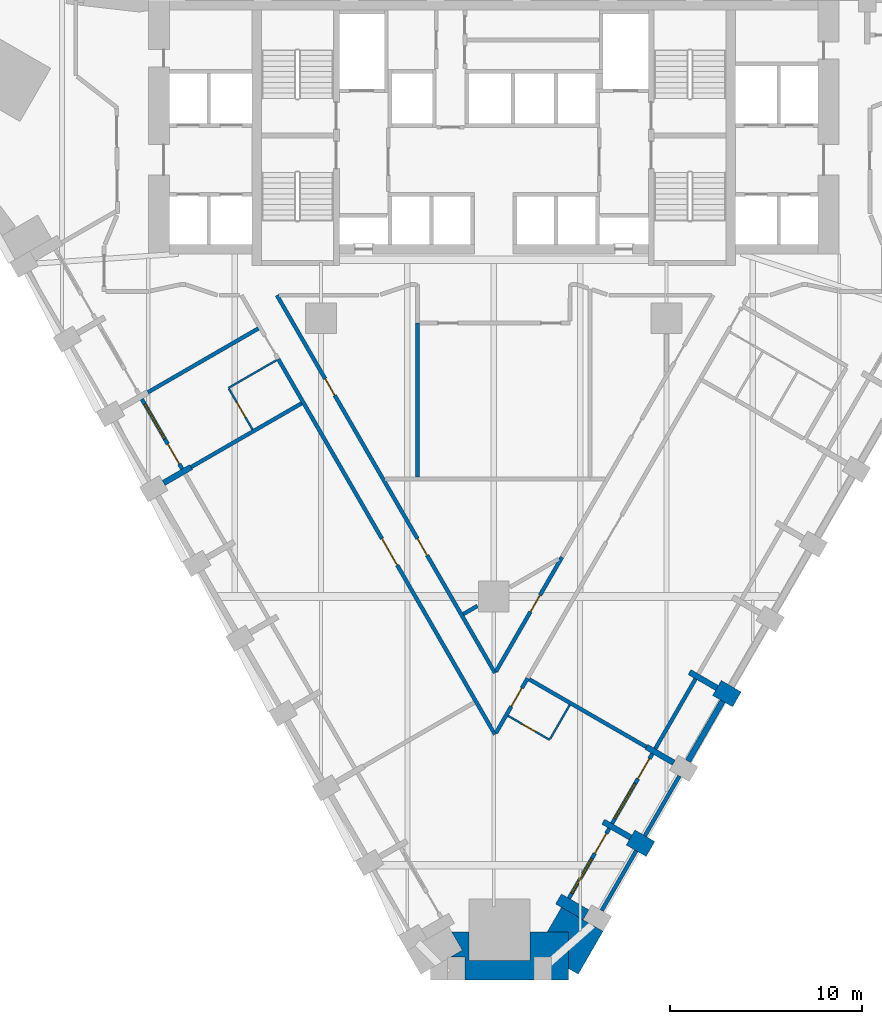
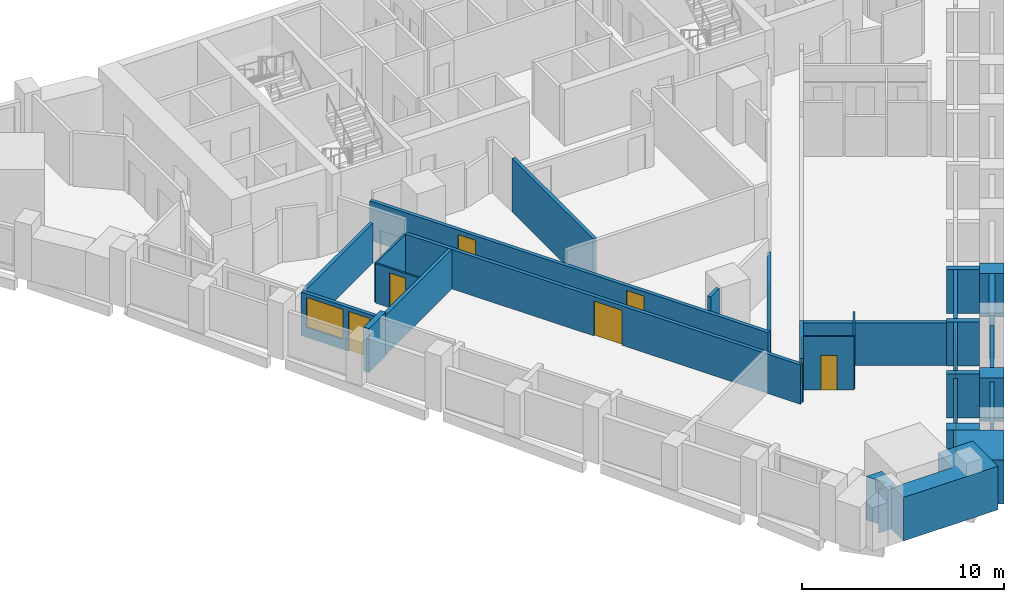
# One storey, part 3 of 10: 29 walls, 10 doors, 3 windows, 13 openings.
"""IFC4 building model written with IfcOpenShell, lengths in metres."""

from ifc_helpers import new_model, si_unit, direction, frame, frame_2d, origin, place, context, subcontext, project, spatial, polyline, rectangle, outline, extrude, material, layer, layer_set, type_object, element, fill, save


model = new_model("IFC4")

# Units and contexts
model_context = context("Model", 3, precision=1e-05, world=origin(), true_north=direction((0.0, 1.0)))
body_context = subcontext(model_context, "Body", "Model", "MODEL_VIEW")
ifc_project = project(units=[si_unit("LENGTHUNIT", "METRE"), si_unit("AREAUNIT", "SQUARE_METRE"), si_unit("VOLUMEUNIT", "CUBIC_METRE"), si_unit("PLANEANGLEUNIT", "RADIAN"), si_unit("MASSUNIT", "GRAM", prefix="KILO")], contexts=[model_context])

# Site, building, storey
site_placement = place(None, origin())
site = spatial("IfcSite", under=ifc_project, at=site_placement, CompositionType="ELEMENT")
building_placement = place(site_placement, origin())
building = spatial("IfcBuilding", under=site, at=building_placement, Name="Calabash Gate Tower", CompositionType="ELEMENT")
storey_placement = place(building_placement, frame((0.0, 0.0, 56.199951171875)))
storey = spatial("IfcBuildingStorey", under=building, at=storey_placement, Name="L09", CompositionType="ELEMENT", Elevation=56.199951171875)

# Walls
ifc_material_1 = material(Name="Terracotta brick masonry, exposed face", Category="masonry")
ifc_layer_1 = layer(ifc_material_1, 2.5)
ifc_layer_set_1 = layer_set([ifc_layer_1], Name="Brick corner mass wall 2500")
wall_type_1 = type_object("IfcWallType", Name="Brick corner mass wall 2500", PredefinedType="SOLIDWALL", material=ifc_layer_set_1)
wall_1_placement = place(storey_placement, origin())
element("IfcWall", 1, at=wall_1_placement, inside=storey, type_object=wall_type_1, Name="Brick corner pier S02 2bb", PredefinedType="SOLIDWALL", context=body_context, shape_type="SweptSolid", body=[
    extrude(outline(polyline([(-1.501953125, -30.780029296875), (-1.501953125, -31.97998046875), (3.8828125, -31.97998046875), (3.8828125, -29.47998046875), (1.89794921875, -29.47998046875), (1.89794921875, -30.9541015625), (-1.302001953125, -30.9541015625), (-1.302001953125, -29.47998046875), (-2.189208984375, -29.47998046875), (-1.640625, -30.43017578125), (-2.246826171875, -30.780029296875), (-1.501953125, -30.780029296875)])), origin(), (0.0, 0.0, 1.0), 2.630126953125),
])
wall_2_placement = place(storey_placement, origin())
element("IfcWall", 2, at=wall_2_placement, inside=storey, type_object=wall_type_1, Name="Brick corner pier S02 2c", PredefinedType="SOLIDWALL", context=body_context, shape_type="SweptSolid", body=[
    extrude(outline(polyline([(5.69384765625, -29.443115234375), (3.52880859375, -28.193115234375), (2.78564453125, -29.47998046875), (3.8828125, -29.47998046875), (3.8828125, -31.380126953125), (4.40234375, -31.68017578125), (5.69384765625, -29.443115234375)])), origin(), (0.0, 0.0, 1.0), 2.630126953125),
])
ifc_material_2 = material(Name="Terracotta brick masonry, exposed face", Category="masonry")
ifc_layer_2 = layer(ifc_material_2, 1.199951171875)
ifc_layer_set_2 = layer_set([ifc_layer_2], Name="Brick end wall 1200")
wall_type_2 = type_object("IfcWallType", Name="Brick end wall 1200", PredefinedType="SOLIDWALL", material=ifc_layer_set_2)
wall_3_placement = place(storey_placement, frame((8.168701171875, -25.156494140625, 0.0), z_axis=(0.0, 0.0, 1.0), x_axis=(-0.865955154139, 0.50012165622, 0.0)))
element("IfcWall", 3, at=wall_3_placement, inside=storey, type_object=wall_type_2, Name="Brick pier S02 SE2.1", PredefinedType="SOLIDWALL", context=body_context, shape_type="SweptSolid", body=[
    extrude(rectangle(XDim=1.199951171875, YDim=0.89990234375, at=frame_2d((0.60009765625, 0.0))), origin(), (0.0, 0.0, 1.0), 2.630126953125),
])
wall_4_placement = place(storey_placement, frame((11.629638671875, -16.76220703125, 0.0), z_axis=(0.0, 0.0, 1.0), x_axis=(0.866043267704, -0.499969057507, 0.0)))
element("IfcWall", 4, at=wall_4_placement, inside=storey, type_object=wall_type_2, Name="Brick pier S02 SE2.3", PredefinedType="SOLIDWALL", context=body_context, shape_type="SweptSolid", body=[
    extrude(rectangle(XDim=1.19970703125, YDim=0.89990234375, at=frame_2d((0.599853515625, 0.0))), origin(), (0.0, 0.0, 1.0), 2.630126953125),
])
ifc_material_3 = material(Name="Terracotta brick masonry, exposed face", Category="masonry")
ifc_layer_3 = layer(ifc_material_3, 0.300048828125)
ifc_layer_set_3 = layer_set([ifc_layer_3], Name="Brick infill panel wall 300")
wall_type_3 = type_object("IfcWallType", Name="Brick infill panel wall 300", PredefinedType="SOLIDWALL", material=ifc_layer_set_3)
wall_5_placement = place(storey_placement, frame((10.124267578125, -20.569580078125, 0.0), z_axis=(0.0, 0.0, 1.0), x_axis=(0.499961193289, 0.866047807691, 0.0)))
element("IfcWall", 5, at=wall_5_placement, inside=storey, type_object=wall_type_3, Name="Brick panel S02 SE2.3", PredefinedType="SOLIDWALL", context=body_context, shape_type="SweptSolid", body=[
    extrude(rectangle(XDim=3.599853515625, YDim=0.300048828125, at=frame_2d((1.7998046875, 0.0))), origin(), (0.0, 0.0, 1.0), 2.630126953125),
])
ifc_material_4 = material(Name="Terracotta brick masonry, exposed face", Category="masonry")
ifc_layer_4 = layer(ifc_material_4, 0.300048828125)
ifc_layer_set_4 = layer_set([ifc_layer_4], Name="Brick loggia cheek wall 300")
wall_type_4 = type_object("IfcWallType", Name="Brick loggia cheek wall 300", PredefinedType="SOLIDWALL", material=ifc_layer_set_4)
wall_6_placement = place(storey_placement, frame((-17.2001953125, -6.080322265625, 0.0), z_axis=(0.0, 0.0, 1.0), x_axis=(0.866040211805, 0.499974350878, 0.0)))
element("IfcWall", 6, at=wall_6_placement, inside=storey, type_object=wall_type_4, Name="Loggia cheek S02 SW0.3", PredefinedType="SOLIDWALL", context=body_context, shape_type="SweptSolid", body=[
    extrude(rectangle(XDim=1.64990234375, YDim=0.300048828125, at=frame_2d((0.824951171875, 0.0))), origin(), (0.0, 0.0, 1.0), 2.650146484375),
])
wall_7_placement = place(storey_placement, frame((4.804443359375, -28.58349609375, 0.0), z_axis=(0.0, 0.0, 1.0), x_axis=(-0.865976140824, 0.500085316245, 0.0)))
element("IfcWall", 7, at=wall_7_placement, inside=storey, type_object=wall_type_4, Name="Loggia cheek S02 SE2.0", PredefinedType="SOLIDWALL", context=body_context, shape_type="SweptSolid", body=[
    extrude(rectangle(XDim=1.650146484375, YDim=0.60009765625, at=frame_2d((0.8251953125, 0.0))), origin(), (0.0, 0.0, 1.0), 2.650146484375),
])
wall_8_placement = place(storey_placement, frame((7.129638671875, -24.556396484375, 0.0), z_axis=(0.0, 0.0, 1.0), x_axis=(-0.866040211805, 0.499974350878, 0.0)))
element("IfcWall", 8, at=wall_8_placement, inside=storey, type_object=wall_type_4, Name="Loggia cheek S02 SE2.1", PredefinedType="SOLIDWALL", context=body_context, shape_type="SweptSolid", body=[
    extrude(rectangle(XDim=1.64990234375, YDim=0.300048828125, at=frame_2d((0.824951171875, 0.0))), origin(), (0.0, 0.0, 1.0), 2.650146484375),
])
wall_9_placement = place(storey_placement, frame((9.37939453125, -20.6591796875, 0.0), z_axis=(0.0, 0.0, 1.0), x_axis=(-0.866003217194, 0.500038426333, 0.0)))
element("IfcWall", 9, at=wall_9_placement, inside=storey, type_object=wall_type_4, Name="Loggia cheek S02 SE2.2", PredefinedType="SOLIDWALL", context=body_context, shape_type="SweptSolid", body=[
    extrude(rectangle(XDim=1.649658203125, YDim=0.300048828125, at=frame_2d((0.82470703125, 0.0))), origin(), (0.0, 0.0, 1.0), 2.650146484375),
])
wall_10_placement = place(storey_placement, frame((11.629638671875, -16.76220703125, 0.0), z_axis=(0.0, 0.0, 1.0), x_axis=(-0.866040211805, 0.499974350878, 0.0)))
element("IfcWall", 10, at=wall_10_placement, inside=storey, type_object=wall_type_4, Name="Loggia cheek S02 SE2.3", PredefinedType="SOLIDWALL", context=body_context, shape_type="SweptSolid", body=[
    extrude(rectangle(XDim=1.64990234375, YDim=0.300048828125, at=frame_2d((0.824951171875, 0.0))), origin(), (0.0, 0.0, 1.0), 2.650146484375),
])
ifc_material_5 = material(Name="Gypsum board on steel studs, mineral wool", Category="steel")
ifc_layer_5 = layer(ifc_material_5, 0.10009765625)
ifc_layer_set_5 = layer_set([ifc_layer_5], Name="Partition 100 gypsum board")
wall_type_5 = type_object("IfcWallType", Name="Partition 100 gypsum board", PredefinedType="PARTITIONING", material=ifc_layer_set_5)
wall_11_placement = place(storey_placement, frame((2.935302734375, -19.421875, 0.0), z_axis=(0.0, 0.0, 1.0), x_axis=(0.499354689006, 0.866397653833, 0.0)))
element("IfcWall", 11, at=wall_11_placement, inside=storey, type_object=wall_type_5, Name="Partition", PredefinedType="PARTITIONING", context=body_context, shape_type="SweptSolid", body=[
    extrude(rectangle(XDim=2.050048828125, YDim=0.10009765625, at=frame_2d((1.02490234375, 0.0))), origin(), (0.0, 0.0, 1.0), 3.22998046875),
])

# Wall, opening, door
wall_12_placement = place(storey_placement, frame((0.745361328125, -18.215087890625, 0.0), z_axis=(0.0, 0.0, 1.0), x_axis=(0.866022959057, -0.500004234368, 0.0)))
wall_12 = element("IfcWall", 12, at=wall_12_placement, inside=storey, type_object=wall_type_5, Name="Partition", PredefinedType="PARTITIONING", context=body_context, shape_type="SweptSolid", body=[
    extrude(rectangle(XDim=2.5, YDim=0.10009765625, at=frame_2d((1.25, 0.0))), origin(), (0.0, 0.0, 1.0), 3.22998046875),
])
opening_1_placement = place(wall_12_placement, frame((0.85009765625, 0.0, 0.0)))
opening_1 = element("IfcOpeningElement", 13, at=opening_1_placement, cuts=wall_12, Name="Opening 09-11-011", PredefinedType="OPENING", context=body_context, shape_type="SweptSolid", body=[
    extrude(rectangle(XDim=0.800048828125, YDim=2.10009765625, at=frame_2d((0.39990234375, 1.050048828125))), frame((0.0, 0.06005859375, 0.0), z_axis=(0.0, -1.0, 0.0), x_axis=(1.0, 0.0, 0.0)), (0.0, 0.0, 1.0), 0.1201171875),
])
ifc_material_6 = material(Name="Painted timber door", Category="wood")
door_type_1 = type_object("IfcDoorType", Name="GD5 En-suite door 800x2100", OperationType="NOTDEFINED", PredefinedType="DOOR", material=ifc_material_6)
door_1_placement = place(opening_1_placement, origin())
door_1 = element("IfcDoor", 14, at=door_1_placement, inside=storey, type_object=door_type_1, Name="En-suite door", OperationType="SINGLE_SWING_LEFT", OverallHeight=2.10009765625, OverallWidth=0.800048828125, PredefinedType="DOOR", context=body_context, shape_type="SweptSolid", body=[
    extrude(rectangle(XDim=0.800048828125, YDim=2.10009765625, at=frame_2d((0.39990234375, 1.050048828125))), frame((0.0, 0.02490234375, 0.0), z_axis=(0.0, -1.0, 0.0), x_axis=(1.0, 0.0, 0.0)), (0.0, 0.0, 1.0), 0.050048828125),
])
fill(opening_1, door_1)

wall_13_placement = place(storey_placement, frame((-13.798583984375, -1.171875, 0.0), z_axis=(0.0, 0.0, 1.0), x_axis=(0.500018594424, -0.866014668023, 0.0)))
wall_13 = element("IfcWall", 15, at=wall_13_placement, inside=storey, type_object=wall_type_5, Name="Partition", PredefinedType="PARTITIONING", context=body_context, shape_type="SweptSolid", body=[
    extrude(rectangle(XDim=2.4501953125, YDim=0.10009765625, at=frame_2d((1.22509765625, 0.0))), origin(), (0.0, 0.0, 1.0), 2.384033203125),
])
opening_2_placement = place(wall_13_placement, frame((0.800048828125, 0.0, 0.0)))
opening_2 = element("IfcOpeningElement", 16, at=opening_2_placement, cuts=wall_13, Name="Opening 09-11-002", PredefinedType="OPENING", context=body_context, shape_type="SweptSolid", body=[
    extrude(rectangle(XDim=0.89990234375, YDim=2.10009765625, at=frame_2d((0.449951171875, 1.050048828125))), frame((0.0, 0.06005859375, 0.0), z_axis=(0.0, -1.0, 0.0), x_axis=(1.0, 0.0, 0.0)), (0.0, 0.0, 1.0), 0.1201171875),
])
ifc_material_7 = material(Name="Painted timber door", Category="wood")
door_type_2 = type_object("IfcDoorType", Name="GD6 Accessible en-suite door 900x2100", OperationType="NOTDEFINED", PredefinedType="DOOR", material=ifc_material_7)
door_2_placement = place(opening_2_placement, origin())
door_2 = element("IfcDoor", 17, at=door_2_placement, inside=storey, type_object=door_type_2, Name="Accessible en-suite door", OperationType="SINGLE_SWING_LEFT", OverallHeight=2.10009765625, OverallWidth=0.89990234375, PredefinedType="DOOR", context=body_context, shape_type="SweptSolid", body=[
    extrude(rectangle(XDim=0.89990234375, YDim=2.10009765625, at=frame_2d((0.449951171875, 1.050048828125))), frame((0.0, 0.02490234375, 0.0), z_axis=(0.0, -1.0, 0.0), x_axis=(1.0, 0.0, 0.0)), (0.0, 0.0, 1.0), 0.050048828125),
])
fill(opening_2, door_2)

# Wall
wall_14_placement = place(storey_placement, frame((-13.823486328125, -1.128662109375, 0.0), z_axis=(0.0, 0.0, 1.0), x_axis=(0.866314505181, 0.49949892704, 0.0)))
element("IfcWall", 18, at=wall_14_placement, inside=storey, type_object=wall_type_5, Name="Partition", PredefinedType="PARTITIONING", context=body_context, shape_type="SweptSolid", body=[
    extrude(rectangle(XDim=2.89990234375, YDim=0.10009765625, at=frame_2d((1.449951171875, 0.0))), origin(), (0.0, 0.0, 1.0), 2.384033203125),
])

# Wall, opening, door
ifc_material_8 = material(Name="Gypsum board on steel studs, mineral wool", Category="steel")
ifc_layer_6 = layer(ifc_material_8, 0.199951171875)
ifc_layer_set_6 = layer_set([ifc_layer_6], Name="Partition 200 gypsum board EI 60")
wall_type_6 = type_object("IfcWallType", Name="Partition 200 gypsum board EI 60", PredefinedType="PARTITIONING", material=ifc_layer_set_6)
wall_15_placement = place(storey_placement, frame((-11.227294921875, 0.370361328125, 0.0), z_axis=(0.0, 0.0, 1.0), x_axis=(0.500006900114, -0.866021419965, 0.0)))
wall_15 = element("IfcWall", 19, at=wall_15_placement, inside=storey, type_object=wall_type_6, Name="Partition", PredefinedType="PARTITIONING", context=body_context, shape_type="SweptSolid", body=[
    extrude(rectangle(XDim=22.586181640625, YDim=0.199951171875, at=frame_2d((11.29296875, 0.0))), origin(), (0.0, 0.0, 1.0), 2.3740234375),
])
opening_3_placement = place(wall_15_placement, frame((10.800048828125, 0.0, 0.0)))
opening_3 = element("IfcOpeningElement", 20, at=opening_3_placement, cuts=wall_15, Name="Opening 09-11-003", PredefinedType="OPENING", context=body_context, shape_type="SweptSolid", body=[
    extrude(rectangle(XDim=1.60009765625, YDim=2.10009765625, at=frame_2d((0.800048828125, 1.050048828125))), frame((0.0, 0.10986328125, 0.0), z_axis=(0.0, -1.0, 0.0), x_axis=(1.0, 0.0, 0.0)), (0.0, 0.0, 1.0), 0.219970703125),
])
ifc_material_9 = material(Name="Steel fire door set with fire-resisting glazing", Category="steel")
door_type_3 = type_object("IfcDoorType", Name="LD1 Lounge double door 1600x2100", OperationType="NOTDEFINED", PredefinedType="DOOR", material=ifc_material_9)
door_3_placement = place(opening_3_placement, origin())
door_3 = element("IfcDoor", 21, at=door_3_placement, inside=storey, type_object=door_type_3, Name="Lounge double door", OperationType="DOUBLE_DOOR_SINGLE_SWING", OverallHeight=2.10009765625, OverallWidth=1.60009765625, PredefinedType="DOOR", context=body_context, shape_type="SweptSolid", body=[
    extrude(rectangle(XDim=1.60009765625, YDim=2.10009765625, at=frame_2d((0.800048828125, 1.050048828125))), frame((0.0, 0.02490234375, 0.0), z_axis=(0.0, -1.0, 0.0), x_axis=(1.0, 0.0, 0.0)), (0.0, 0.0, 1.0), 0.050048828125),
])
fill(opening_3, door_3)

wall_16_placement = place(storey_placement, frame((0.11767578125, -19.102294921875, 0.0), z_axis=(0.0, 0.0, 1.0), x_axis=(0.500402764758, 0.865792742533, 0.0)))
wall_16 = element("IfcWall", 22, at=wall_16_placement, inside=storey, type_object=wall_type_6, Name="Partition", PredefinedType="PARTITIONING", context=body_context, shape_type="SweptSolid", body=[
    extrude(rectangle(XDim=3.281982421875, YDim=0.199951171875, at=frame_2d((1.64111328125, 0.0))), origin(), (0.0, 0.0, 1.0), 2.6279296875),
])
opening_4_placement = place(wall_16_placement, frame((1.59130859375, 0.0, 0.0)))
opening_4 = element("IfcOpeningElement", 23, at=opening_4_placement, cuts=wall_16, Name="Opening 09-11-020", PredefinedType="OPENING", context=body_context, shape_type="SweptSolid", body=[
    extrude(rectangle(XDim=1.10009765625, YDim=2.10009765625, at=frame_2d((0.550048828125, 1.050048828125))), frame((0.0, 0.10986328125, 0.0), z_axis=(0.0, -1.0, 0.0), x_axis=(1.0, 0.0, 0.0)), (0.0, 0.0, 1.0), 0.219970703125),
])
ifc_material_10 = material(Name="Steel fire door set with fire-resisting glazing", Category="steel")
door_type_4 = type_object("IfcDoorType", Name="GD3 Suite entrance door 1100x2100", OperationType="NOTDEFINED", PredefinedType="DOOR", material=ifc_material_10)
door_4_placement = place(opening_4_placement, origin())
door_4 = element("IfcDoor", 24, at=door_4_placement, inside=storey, type_object=door_type_4, Name="Suite entrance door", OperationType="SINGLE_SWING_LEFT", OverallHeight=2.10009765625, OverallWidth=1.10009765625, PredefinedType="DOOR", context=body_context, shape_type="SweptSolid", body=[
    extrude(rectangle(XDim=1.10009765625, YDim=2.10009765625, at=frame_2d((0.550048828125, 1.050048828125))), frame((0.0, 0.02490234375, 0.0), z_axis=(0.0, -1.0, 0.0), x_axis=(1.0, 0.0, 0.0)), (0.0, 0.0, 1.0), 0.050048828125),
])
fill(opening_4, door_4)

# Wall
wall_17_placement = place(storey_placement, frame((1.844482421875, -16.311279296875, 0.0), z_axis=(0.0, 0.0, 1.0), x_axis=(0.866037373075, -0.499979268008, 0.0)))
element("IfcWall", 25, at=wall_17_placement, inside=storey, type_object=wall_type_6, Name="Partition", PredefinedType="PARTITIONING", context=body_context, shape_type="SweptSolid", body=[
    extrude(rectangle(XDim=7.049560546875, YDim=0.199951171875, at=frame_2d((3.52490234375, 0.0))), origin(), (0.0, 0.0, 1.0), 2.552001953125),
])

# Wall, opening, door
wall_18_placement = place(storey_placement, frame((0.117431640625, -15.9013671875, 0.0), z_axis=(0.0, 0.0, 1.0), x_axis=(0.49997760006, 0.866038336009, 0.0)))
wall_18 = element("IfcWall", 26, at=wall_18_placement, inside=storey, type_object=wall_type_6, Name="Partition", PredefinedType="PARTITIONING", context=body_context, shape_type="SweptSolid", body=[
    extrude(rectangle(XDim=6.874755859375, YDim=0.199951171875, at=frame_2d((3.4375, 0.0))), origin(), (0.0, 0.0, 1.0), 2.302490234375),
])
opening_5_placement = place(wall_18_placement, frame((3.588134765625, 0.0, 0.0)))
opening_5 = element("IfcOpeningElement", 27, at=opening_5_placement, cuts=wall_18, Name="Opening 09-11-009", PredefinedType="OPENING", context=body_context, shape_type="SweptSolid", body=[
    extrude(rectangle(XDim=1.0, YDim=2.10009765625, at=frame_2d((0.5, 1.050048828125))), frame((0.0, 0.10986328125, 0.0), z_axis=(0.0, -1.0, 0.0), x_axis=(1.0, 0.0, 0.0)), (0.0, 0.0, 1.0), 0.219970703125),
])
ifc_material_11 = material(Name="Steel fire door set with fire-resisting glazing", Category="steel")
door_type_5 = type_object("IfcDoorType", Name="LD2 Meeting room door 1000x2100", OperationType="NOTDEFINED", PredefinedType="DOOR", material=ifc_material_11)
door_5_placement = place(opening_5_placement, origin())
door_5 = element("IfcDoor", 28, at=door_5_placement, inside=storey, type_object=door_type_5, Name="Meeting room door", OperationType="SINGLE_SWING_RIGHT", OverallHeight=2.10009765625, OverallWidth=1.0, PredefinedType="DOOR", context=body_context, shape_type="SweptSolid", body=[
    extrude(rectangle(XDim=1.0, YDim=2.10009765625, at=frame_2d((0.5, 1.050048828125))), frame((0.0, 0.02490234375, 0.0), z_axis=(0.0, -1.0, 0.0), x_axis=(1.0, 0.0, 0.0)), (0.0, 0.0, 1.0), 0.050048828125),
])
fill(opening_5, door_5)

# Walls
wall_19_placement = place(storey_placement, frame((-1.590576171875, -12.916259765625, 0.0), z_axis=(0.0, 0.0, 1.0), x_axis=(0.866903215232, 0.498476494351, 0.0)))
element("IfcWall", 29, at=wall_19_placement, inside=storey, type_object=wall_type_6, Name="Partition", PredefinedType="PARTITIONING", context=body_context, shape_type="SweptSolid", body=[
    extrude(rectangle(XDim=0.854248046875, YDim=0.199951171875, at=frame_2d((0.42724609375, 0.0))), origin(), (0.0, 0.0, 1.0), 3.22998046875),
])
wall_20_placement = place(storey_placement, frame((-15.77099609375, -5.25537109375, 0.0), z_axis=(0.0, 0.0, 1.0), x_axis=(0.866166026107, 0.499756355856, 0.0)))
element("IfcWall", 30, at=wall_20_placement, inside=storey, type_object=wall_type_6, Name="Partition", PredefinedType="PARTITIONING", context=body_context, shape_type="SweptSolid", body=[
    extrude(rectangle(XDim=6.649658203125, YDim=0.199951171875, at=frame_2d((3.32470703125, 0.0))), origin(), (0.0, 0.0, 1.0), 2.384033203125),
])
wall_21_placement = place(storey_placement, frame((-18.021484375, -1.357666015625, 0.0), z_axis=(0.0, 0.0, 1.0), x_axis=(0.865919508558, 0.500183371074, 0.0)))
element("IfcWall", 31, at=wall_21_placement, inside=storey, type_object=wall_type_6, Name="Partition", PredefinedType="PARTITIONING", context=body_context, shape_type="SweptSolid", body=[
    extrude(rectangle(XDim=6.64794921875, YDim=0.199951171875, at=frame_2d((3.323974609375, 0.0))), origin(), (0.0, 0.0, 1.0), 2.384033203125),
])
wall_22_placement = place(storey_placement, frame((-3.979248046875, 2.25244140625, 0.0), z_axis=(0.0, 0.0, 1.0), x_axis=(0.000213083311, -0.999999977298, 0.0)))
element("IfcWall", 32, at=wall_22_placement, inside=storey, type_object=wall_type_6, Name="Partition", PredefinedType="PARTITIONING", context=body_context, shape_type="SweptSolid", body=[
    extrude(rectangle(XDim=8.020263671875, YDim=0.199951171875, at=frame_2d((4.01025390625, 0.0))), origin(), (0.0, 0.0, 1.0), 3.22998046875),
])

# Wall, openings, doors
wall_23_placement = place(storey_placement, frame((-11.29931640625, 3.69970703125, 0.0), z_axis=(0.0, 0.0, 1.0), x_axis=(0.500141073811, -0.86594393946, 0.0)))
wall_23 = element("IfcWall", 33, at=wall_23_placement, inside=storey, type_object=wall_type_6, Name="Partition", PredefinedType="PARTITIONING", context=body_context, shape_type="SweptSolid", body=[
    extrude(rectangle(XDim=22.7333984375, YDim=0.199951171875, at=frame_2d((11.36669921875, 0.0))), origin(), (0.0, 0.0, 1.0), 2.3740234375),
])
opening_6_placement = place(wall_23_placement, frame((5.02490234375, 0.0, 0.0)))
opening_6 = element("IfcOpeningElement", 34, at=opening_6_placement, cuts=wall_23, Name="Opening 09-11-005", PredefinedType="OPENING", context=body_context, shape_type="SweptSolid", body=[
    extrude(rectangle(XDim=1.0, YDim=2.10009765625, at=frame_2d((0.5, 1.050048828125))), frame((0.0, 0.10986328125, 0.0), z_axis=(0.0, -1.0, 0.0), x_axis=(1.0, 0.0, 0.0)), (0.0, 0.0, 1.0), 0.219970703125),
])
opening_7_placement = place(wall_23_placement, frame((14.64697265625, 0.0, 0.0)))
opening_7 = element("IfcOpeningElement", 35, at=opening_7_placement, cuts=wall_23, Name="Opening 09-11-010", PredefinedType="OPENING", context=body_context, shape_type="SweptSolid", body=[
    extrude(rectangle(XDim=1.0, YDim=2.10009765625, at=frame_2d((0.5, 1.050048828125))), frame((0.0, 0.10986328125, 0.0), z_axis=(0.0, -1.0, 0.0), x_axis=(1.0, 0.0, 0.0)), (0.0, 0.0, 1.0), 0.219970703125),
])
door_6_placement = place(opening_6_placement, origin())
door_6 = element("IfcDoor", 36, at=door_6_placement, inside=storey, type_object=door_type_5, Name="Meeting room door", OperationType="SINGLE_SWING_LEFT", OverallHeight=2.10009765625, OverallWidth=1.0, PredefinedType="DOOR", context=body_context, shape_type="SweptSolid", body=[
    extrude(rectangle(XDim=1.0, YDim=2.10009765625, at=frame_2d((0.5, 1.050048828125))), frame((0.0, 0.02490234375, 0.0), z_axis=(0.0, -1.0, 0.0), x_axis=(1.0, 0.0, 0.0)), (0.0, 0.0, 1.0), 0.050048828125),
])
fill(opening_6, door_6)
door_7_placement = place(opening_7_placement, origin())
door_7 = element("IfcDoor", 37, at=door_7_placement, inside=storey, type_object=door_type_5, Name="Meeting room door", OperationType="SINGLE_SWING_RIGHT", OverallHeight=2.10009765625, OverallWidth=1.0, PredefinedType="DOOR", context=body_context, shape_type="SweptSolid", body=[
    extrude(rectangle(XDim=1.0, YDim=2.10009765625, at=frame_2d((0.5, 1.050048828125))), frame((0.0, 0.02490234375, 0.0), z_axis=(0.0, -1.0, 0.0), x_axis=(1.0, 0.0, 0.0)), (0.0, 0.0, 1.0), 0.050048828125),
])
fill(opening_7, door_7)

# Walls
ifc_material_12 = material(Name="Terracotta brick masonry, perforated", Category="masonry")
ifc_layer_7 = layer(ifc_material_12, 0.199951171875)
ifc_layer_set_7 = layer_set([ifc_layer_7], Name="Terracotta jaali screen B")
wall_type_7 = type_object("IfcWallType", Name="Terracotta jaali screen B", PredefinedType="SOLIDWALL", material=ifc_layer_set_7)
wall_24_placement = place(storey_placement, frame((5.624267578125, -28.36376953125, 0.0), z_axis=(0.0, 0.0, 1.0), x_axis=(0.499961193289, 0.866047807691, 0.0)))
element("IfcWall", 38, at=wall_24_placement, inside=storey, type_object=wall_type_7, Name="SCREEN B S02 SE2.1", PredefinedType="SOLIDWALL", context=body_context, shape_type="SweptSolid", body=[
    extrude(rectangle(XDim=3.599853515625, YDim=0.199951171875, at=frame_2d((1.7998046875, 0.0))), origin(), (0.0, 0.0, 1.0), 2.3740234375),
])
wall_25_placement = place(storey_placement, frame((7.874267578125, -24.466552734375, 0.0), z_axis=(0.0, 0.0, 1.0), x_axis=(0.499961193289, 0.866047807691, 0.0)))
element("IfcWall", 39, at=wall_25_placement, inside=storey, type_object=wall_type_7, Name="SCREEN B S02 SE2.2", PredefinedType="SOLIDWALL", context=body_context, shape_type="SweptSolid", body=[
    extrude(rectangle(XDim=3.599853515625, YDim=0.199951171875, at=frame_2d((1.7998046875, 0.0))), origin(), (0.0, 0.0, 1.0), 2.630126953125),
])

# Wall, openings, door, window
ifc_material_13 = material(Name="Aluminium framed window wall with insulated spandrel", Category="aluminium")
ifc_layer_8 = layer(ifc_material_13, 0.199951171875)
ifc_layer_set_8 = layer_set([ifc_layer_8], Name="Window wall 200")
wall_type_8 = type_object("IfcWallType", Name="Window wall 200", PredefinedType="ELEMENTEDWALL", material=ifc_layer_set_8)
wall_26_placement = place(storey_placement, frame((-18.3359375, -1.713134765625, 0.0), z_axis=(0.0, 0.0, 1.0), x_axis=(0.500027713859, -0.866009402589, 0.0)))
wall_26 = element("IfcWall", 40, at=wall_26_placement, inside=storey, type_object=wall_type_8, Name="Window wall S02 SW0.3", PredefinedType="ELEMENTEDWALL", context=body_context, shape_type="SweptSolid", body=[
    extrude(rectangle(XDim=4.199951171875, YDim=0.199951171875, at=frame_2d((2.10009765625, 0.0))), origin(), (0.0, 0.0, 1.0), 2.6279296875),
])
opening_8_placement = place(wall_26_placement, frame((0.300048828125, 0.0, 0.60009765625)))
opening_8 = element("IfcOpeningElement", 41, at=opening_8_placement, cuts=wall_26, Name="Opening HW1", PredefinedType="OPENING", context=body_context, shape_type="SweptSolid", body=[
    extrude(rectangle(XDim=2.10009765625, YDim=1.800048828125, at=frame_2d((1.050048828125, 0.89990234375))), frame((0.0, 0.10986328125, 0.0), z_axis=(0.0, -1.0, 0.0), x_axis=(1.0, 0.0, 0.0)), (0.0, 0.0, 1.0), 0.219970703125),
])
opening_9_placement = place(wall_26_placement, frame((2.699951171875, 0.0, 0.0)))
opening_9 = element("IfcOpeningElement", 42, at=opening_9_placement, cuts=wall_26, Name="Opening H2-025", PredefinedType="OPENING", context=body_context, shape_type="SweptSolid", body=[
    extrude(rectangle(XDim=1.199951171875, YDim=2.39990234375, at=frame_2d((0.60009765625, 1.199951171875))), frame((0.0, 0.10986328125, 0.0), z_axis=(0.0, -1.0, 0.0), x_axis=(1.0, 0.0, 0.0)), (0.0, 0.0, 1.0), 0.219970703125),
])
ifc_material_14 = material(Name="Anodised aluminium frame, bronze finish, impact-rated laminated clear glazing", Category="aluminium")
door_type_6 = type_object("IfcDoorType", Name="Loggia door DH1 1200x2400", OperationType="SLIDING_TO_LEFT", PredefinedType="DOOR", material=ifc_material_14)
door_8_placement = place(opening_9_placement, origin())
door_8 = element("IfcDoor", 43, at=door_8_placement, inside=storey, type_object=door_type_6, Name="Loggia door S02 SW0.3", OperationType="SINGLE_SWING_LEFT", OverallHeight=2.39990234375, OverallWidth=1.199951171875, PredefinedType="DOOR", context=body_context, shape_type="SweptSolid", body=[
    extrude(rectangle(XDim=1.199951171875, YDim=2.39990234375, at=frame_2d((0.60009765625, 1.199951171875))), frame((0.0, 0.02490234375, 0.0), z_axis=(0.0, -1.0, 0.0), x_axis=(1.0, 0.0, 0.0)), (0.0, 0.0, 1.0), 0.050048828125),
])
fill(opening_9, door_8)
ifc_material_15 = material(Name="Anodised aluminium frame, bronze finish, impact-rated laminated clear glazing", Category="aluminium")
window_type_1 = type_object("IfcWindowType", Name="Window HW1 2100x1800", PartitioningType="DOUBLE_PANEL_VERTICAL", PredefinedType="WINDOW", material=ifc_material_15)
window_1_placement = place(opening_8_placement, origin())
window_1 = element("IfcWindow", 44, at=window_1_placement, inside=storey, type_object=window_type_1, Name="Window HW1 S02 SW0.3", OverallHeight=1.800048828125, OverallWidth=2.10009765625, PartitioningType="SINGLE_PANEL", PredefinedType="WINDOW", context=body_context, shape_type="SweptSolid", body=[
    extrude(rectangle(XDim=2.10009765625, YDim=1.800048828125, at=frame_2d((1.050048828125, 0.89990234375))), frame((0.0, 0.030029296875, 0.0), z_axis=(0.0, -1.0, 0.0), x_axis=(1.0, 0.0, 0.0)), (0.0, 0.0, 1.0), 0.06005859375),
])
fill(opening_8, window_1)

wall_27_placement = place(storey_placement, frame((3.915283203125, -27.7236328125, 0.0), z_axis=(0.0, 0.0, 1.0), x_axis=(0.500002543286, 0.866023935413, 0.0)))
wall_27 = element("IfcWall", 45, at=wall_27_placement, inside=storey, type_object=wall_type_8, Name="Window wall S02 SE2.1", PredefinedType="ELEMENTEDWALL", context=body_context, shape_type="SweptSolid", body=[
    extrude(rectangle(XDim=4.2001953125, YDim=0.199951171875, at=frame_2d((2.10009765625, 0.0))), origin(), (0.0, 0.0, 1.0), 2.3740234375),
])
opening_10_placement = place(wall_27_placement, frame((0.300048828125, 0.0, 0.60009765625)))
opening_10 = element("IfcOpeningElement", 46, at=opening_10_placement, cuts=wall_27, Name="Opening HW1L-1670", PredefinedType="OPENING", context=body_context, shape_type="SweptSolid", body=[
    extrude(rectangle(XDim=2.10009765625, YDim=1.669921875, at=frame_2d((1.050048828125, 0.8349609375))), frame((0.0, 0.10986328125, 0.0), z_axis=(0.0, -1.0, 0.0), x_axis=(1.0, 0.0, 0.0)), (0.0, 0.0, 1.0), 0.219970703125),
])
opening_11_placement = place(wall_27_placement, frame((2.699951171875, 0.0, 0.0)))
opening_11 = element("IfcOpeningElement", 47, at=opening_11_placement, cuts=wall_27, Name="Opening H2-018", PredefinedType="OPENING", context=body_context, shape_type="SweptSolid", body=[
    extrude(rectangle(XDim=1.199951171875, YDim=2.27001953125, at=frame_2d((0.60009765625, 1.135009765625))), frame((0.0, 0.10986328125, 0.0), z_axis=(0.0, -1.0, 0.0), x_axis=(1.0, 0.0, 0.0)), (0.0, 0.0, 1.0), 0.219970703125),
])
ifc_material_16 = material(Name="Anodised aluminium frame, bronze finish, impact-rated laminated clear glazing", Category="aluminium")
door_type_7 = type_object("IfcDoorType", Name="Loggia door DH1L-2270 1200x2270", OperationType="SLIDING_TO_LEFT", PredefinedType="DOOR", material=ifc_material_16)
door_9_placement = place(opening_11_placement, origin())
door_9 = element("IfcDoor", 48, at=door_9_placement, inside=storey, type_object=door_type_7, Name="Loggia door S02 SE2.1", OperationType="SINGLE_SWING_LEFT", OverallHeight=2.27001953125, OverallWidth=1.199951171875, PredefinedType="DOOR", context=body_context, shape_type="SweptSolid", body=[
    extrude(rectangle(XDim=1.199951171875, YDim=2.27001953125, at=frame_2d((0.60009765625, 1.135009765625))), frame((0.0, 0.02490234375, 0.0), z_axis=(0.0, -1.0, 0.0), x_axis=(1.0, 0.0, 0.0)), (0.0, 0.0, 1.0), 0.050048828125),
])
fill(opening_11, door_9)
ifc_material_17 = material(Name="Anodised aluminium frame, bronze finish, impact-rated laminated clear glazing", Category="aluminium")
window_type_2 = type_object("IfcWindowType", Name="Window HW1L 2100x1670", PartitioningType="DOUBLE_PANEL_VERTICAL", PredefinedType="WINDOW", material=ifc_material_17)
window_2_placement = place(opening_10_placement, origin())
window_2 = element("IfcWindow", 49, at=window_2_placement, inside=storey, type_object=window_type_2, Name="Window HW1 S02 SE2.1", OverallHeight=1.669921875, OverallWidth=2.10009765625, PartitioningType="SINGLE_PANEL", PredefinedType="WINDOW", context=body_context, shape_type="SweptSolid", body=[
    extrude(rectangle(XDim=2.10009765625, YDim=1.669921875, at=frame_2d((1.050048828125, 0.8349609375))), frame((0.0, 0.030029296875, 0.0), z_axis=(0.0, -1.0, 0.0), x_axis=(1.0, 0.0, 0.0)), (0.0, 0.0, 1.0), 0.06005859375),
])
fill(opening_10, window_2)

wall_28_placement = place(storey_placement, frame((6.165283203125, -23.826416015625, 0.0), z_axis=(0.0, 0.0, 1.0), x_axis=(0.500027713859, 0.866009402589, 0.0)))
wall_28 = element("IfcWall", 50, at=wall_28_placement, inside=storey, type_object=wall_type_8, Name="Window wall S02 SE2.2", PredefinedType="ELEMENTEDWALL", context=body_context, shape_type="SweptSolid", body=[
    extrude(rectangle(XDim=4.199951171875, YDim=0.199951171875, at=frame_2d((2.10009765625, 0.0))), origin(), (0.0, 0.0, 1.0), 2.650146484375),
])
opening_12_placement = place(wall_28_placement, frame((0.300048828125, 0.0, 0.60009765625)))
opening_12 = element("IfcOpeningElement", 51, at=opening_12_placement, cuts=wall_28, Name="Opening HW1", PredefinedType="OPENING", context=body_context, shape_type="SweptSolid", body=[
    extrude(rectangle(XDim=2.10009765625, YDim=1.800048828125, at=frame_2d((1.050048828125, 0.89990234375))), frame((0.0, 0.10986328125, 0.0), z_axis=(0.0, -1.0, 0.0), x_axis=(1.0, 0.0, 0.0)), (0.0, 0.0, 1.0), 0.219970703125),
])
opening_13_placement = place(wall_28_placement, frame((2.699951171875, 0.0, 0.0)))
opening_13 = element("IfcOpeningElement", 52, at=opening_13_placement, cuts=wall_28, Name="Opening H2-019", PredefinedType="OPENING", context=body_context, shape_type="SweptSolid", body=[
    extrude(rectangle(XDim=1.199951171875, YDim=2.39990234375, at=frame_2d((0.60009765625, 1.199951171875))), frame((0.0, 0.10986328125, 0.0), z_axis=(0.0, -1.0, 0.0), x_axis=(1.0, 0.0, 0.0)), (0.0, 0.0, 1.0), 0.219970703125),
])
door_10_placement = place(opening_13_placement, origin())
door_10 = element("IfcDoor", 53, at=door_10_placement, inside=storey, type_object=door_type_6, Name="Loggia door S02 SE2.2", OperationType="SINGLE_SWING_LEFT", OverallHeight=2.39990234375, OverallWidth=1.199951171875, PredefinedType="DOOR", context=body_context, shape_type="SweptSolid", body=[
    extrude(rectangle(XDim=1.199951171875, YDim=2.39990234375, at=frame_2d((0.60009765625, 1.199951171875))), frame((0.0, 0.02490234375, 0.0), z_axis=(0.0, -1.0, 0.0), x_axis=(1.0, 0.0, 0.0)), (0.0, 0.0, 1.0), 0.050048828125),
])
fill(opening_13, door_10)
window_3_placement = place(opening_12_placement, origin())
window_3 = element("IfcWindow", 54, at=window_3_placement, inside=storey, type_object=window_type_1, Name="Window HW1 S02 SE2.2", OverallHeight=1.800048828125, OverallWidth=2.10009765625, PartitioningType="SINGLE_PANEL", PredefinedType="WINDOW", context=body_context, shape_type="SweptSolid", body=[
    extrude(rectangle(XDim=2.10009765625, YDim=1.800048828125, at=frame_2d((1.050048828125, 0.89990234375))), frame((0.0, 0.030029296875, 0.0), z_axis=(0.0, -1.0, 0.0), x_axis=(1.0, 0.0, 0.0)), (0.0, 0.0, 1.0), 0.06005859375),
])
fill(opening_12, window_3)

# Wall
wall_29_placement = place(storey_placement, frame((8.415283203125, -19.929443359375, 0.0), z_axis=(0.0, 0.0, 1.0), x_axis=(0.500002543286, 0.866023935413, 0.0)))
element("IfcWall", 55, at=wall_29_placement, inside=storey, type_object=wall_type_8, Name="Window wall S02 SE2.3", PredefinedType="ELEMENTEDWALL", context=body_context, shape_type="SweptSolid", body=[
    extrude(rectangle(XDim=4.2001953125, YDim=0.199951171875, at=frame_2d((2.10009765625, 0.0))), origin(), (0.0, 0.0, 1.0), 2.650146484375),
])

save(model, "model.ifc")
